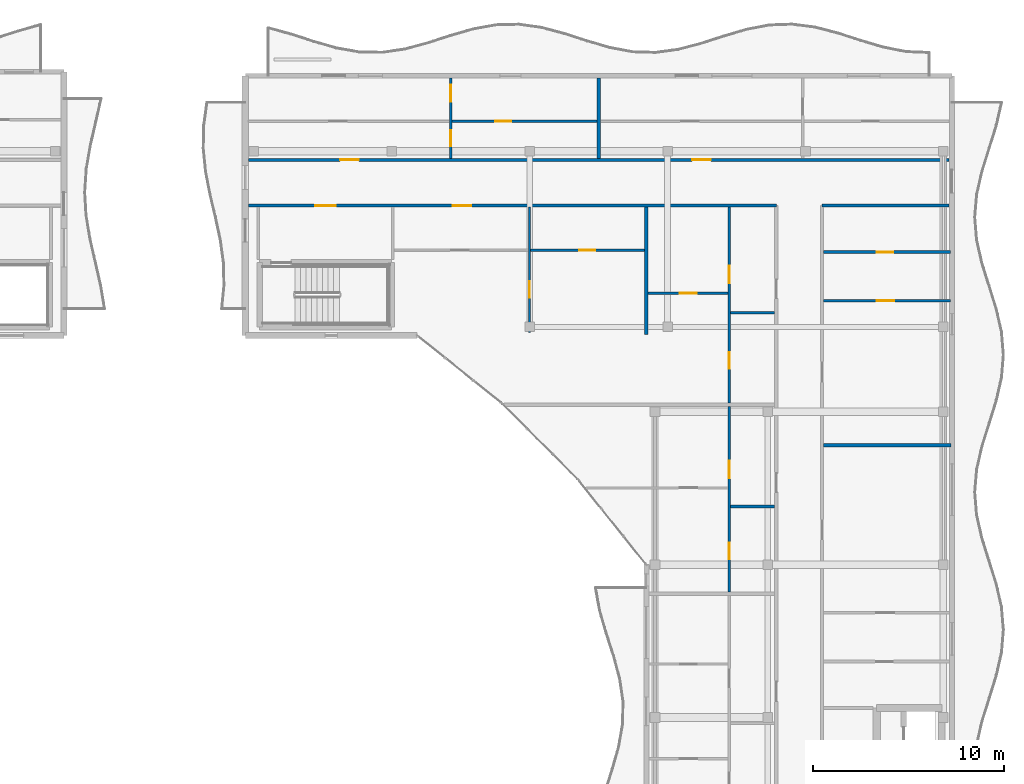
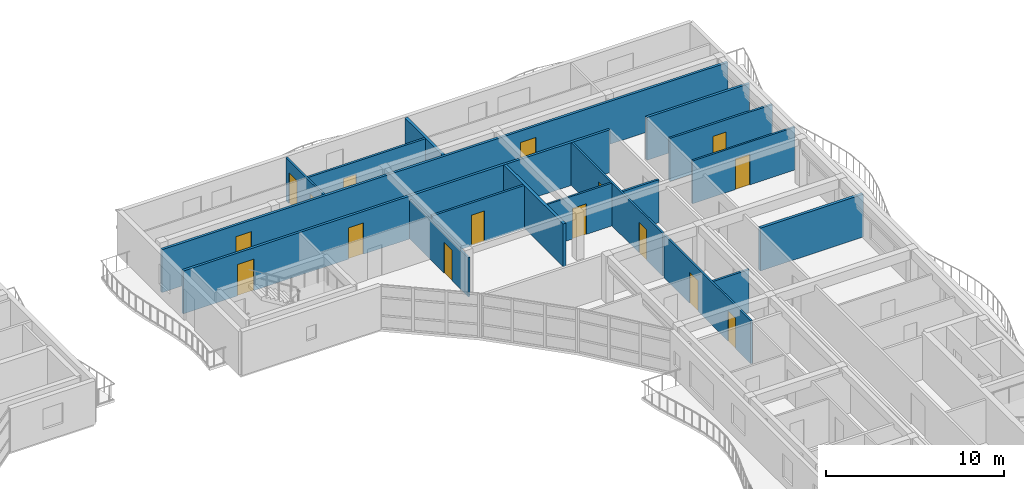
# One storey, part 21 of 30: 17 walls, 16 doors, 16 openings.
"""IFC4 building model written with IfcOpenShell, lengths in metres."""

from ifc_helpers import new_model, si_unit, direction, frame, frame_2d, origin, place, context, subcontext, project, spatial, rectangle, extrude, material, layer, layer_set, type_object, element, fill, save


model = new_model("IFC4")

# Units and contexts
model_context = context("Model", 3, precision=1e-05, world=origin(), true_north=direction((0.0, 1.0)))
body_context = subcontext(model_context, "Body", "Model", "MODEL_VIEW")
ifc_project = project(units=[si_unit("LENGTHUNIT", "METRE"), si_unit("AREAUNIT", "SQUARE_METRE"), si_unit("VOLUMEUNIT", "CUBIC_METRE"), si_unit("PLANEANGLEUNIT", "RADIAN"), si_unit("MASSUNIT", "GRAM", prefix="KILO")], contexts=[model_context])

# Site, building, storey
site_placement = place(None, origin())
site = spatial("IfcSite", under=ifc_project, at=site_placement, CompositionType="ELEMENT")
building_placement = place(site_placement, origin())
building = spatial("IfcBuilding", under=site, at=building_placement, Name="Keldmere Railside Commons", CompositionType="ELEMENT")
storey_placement = place(building_placement, frame((0.0, 0.0, 36.159912109375)))
storey = spatial("IfcBuildingStorey", under=building, at=storey_placement, Name="L11", CompositionType="ELEMENT", Elevation=36.159912109375)

# Walls
ifc_material_1 = material(Name="Acoustic Gypsum Board Partition", Category="gypsum")
ifc_layer_1 = layer(ifc_material_1, 0.179931640625, Name="Acoustic Demising Partition 180")
ifc_layer_set_1 = layer_set([ifc_layer_1], Name="Acoustic Gypsum Board Partition")
wall_type_1 = type_object("IfcWallType", Name="Acoustic Demising Partition 180", PredefinedType="PARTITIONING", material=ifc_layer_set_1)
wall_1_placement = place(storey_placement, frame((168.0, 100.050048828125, 0.0), z_axis=(0.0, 0.0, 1.0), x_axis=(0.0, 1.0, 0.0)))
element("IfcWall", 1, at=wall_1_placement, inside=storey, type_object=wall_type_1, Name="IW-1 IW-L11-1858", PredefinedType="PARTITIONING", context=body_context, shape_type="SweptSolid", body=[
    extrude(rectangle(XDim=6.669921875, YDim=0.179931640625, at=frame_2d((3.3349609375, 0.0))), origin(), (0.0, 0.0, 1.0), 2.93505859375),
])
wall_2_placement = place(storey_placement, frame((165.5, 109.280029296875, 0.0), z_axis=(0.0, 0.0, 1.0), x_axis=(0.0, 1.0, 0.0)))
element("IfcWall", 2, at=wall_2_placement, inside=storey, type_object=wall_type_1, Name="IW-1 IW-L11-1877", PredefinedType="PARTITIONING", context=body_context, shape_type="SweptSolid", body=[
    extrude(rectangle(XDim=4.18994140625, YDim=0.179931640625, at=frame_2d((2.094970703125, 0.0))), origin(), (0.0, 0.0, 1.0), 2.93505859375),
])
wall_3_placement = place(storey_placement, frame((177.280029296875, 94.25, 0.0), z_axis=(0.0, 0.0, 1.0), x_axis=(1.0, 0.0, 0.0)))
element("IfcWall", 3, at=wall_3_placement, inside=storey, type_object=wall_type_1, Name="IW-1 IW-L11-1887", PredefinedType="PARTITIONING", context=body_context, shape_type="SweptSolid", body=[
    extrude(rectangle(XDim=6.679931640625, YDim=0.179931640625, at=frame_2d((3.33984375, 0.0))), origin(), (0.0, 0.0, 1.0), 2.93505859375),
])

# Wall, openings, doors
ifc_layer_2 = layer(ifc_material_1, 0.1201171875, Name="Apartment Interior Partition 120")
ifc_layer_set_2 = layer_set([ifc_layer_2], Name="Acoustic Gypsum Board Partition")
wall_type_2 = type_object("IfcWallType", Name="Apartment Interior Partition 120", PredefinedType="PARTITIONING", material=ifc_layer_set_2)
wall_4_placement = place(storey_placement, frame((172.340087890625, 86.580078125, 0.0), z_axis=(0.0, 0.0, 1.0), x_axis=(0.0, 1.0, 0.0)))
wall_4 = element("IfcWall", 4, at=wall_4_placement, inside=storey, type_object=wall_type_2, Name="IW-4 IW-L11-1871", PredefinedType="PARTITIONING", context=body_context, shape_type="SweptSolid", body=[
    extrude(rectangle(XDim=9.7099609375, YDim=0.1201171875, at=frame_2d((4.85498046875, 0.0))), origin(), (0.0, 0.0, 1.0), 2.93505859375),
])
opening_1_placement = place(wall_4_placement, frame((1.698486328125, 0.0, 0.0)))
opening_1 = element("IfcOpeningElement", 5, at=opening_1_placement, cuts=wall_4, Name="Opening ID-04", PredefinedType="OPENING", context=body_context, shape_type="SweptSolid", body=[
    extrude(rectangle(XDim=0.860107421875, YDim=2.10009765625, at=frame_2d((0.43017578125, 1.050048828125))), frame((0.0, 0.070068359375, 0.0), z_axis=(0.0, -1.0, 0.0), x_axis=(1.0, 0.0, 0.0)), (0.0, 0.0, 1.0), 0.14013671875),
])
opening_2_placement = place(wall_4_placement, frame((5.937255859375, 0.0, 0.0)))
opening_2 = element("IfcOpeningElement", 6, at=opening_2_placement, cuts=wall_4, Name="Opening ID-03", PredefinedType="OPENING", context=body_context, shape_type="SweptSolid", body=[
    extrude(rectangle(XDim=0.919921875, YDim=2.10009765625, at=frame_2d((0.4599609375, 1.050048828125))), frame((0.0, 0.070068359375, 0.0), z_axis=(0.0, -1.0, 0.0), x_axis=(1.0, 0.0, 0.0)), (0.0, 0.0, 1.0), 0.14013671875),
])
ifc_material_2 = material(Name="Engineered Oak Timber", Category="wood")
door_type_1 = type_object("IfcDoorType", Name="Apartment Bathroom Door 860x2100", OperationType="NOTDEFINED", PredefinedType="DOOR", material=ifc_material_2)
door_1_placement = place(opening_1_placement, origin())
door_1 = element("IfcDoor", 7, at=door_1_placement, inside=storey, type_object=door_type_1, Name="ID-04 IDR-L11-1710", OperationType="SINGLE_SWING_RIGHT", OverallHeight=2.10009765625, OverallWidth=0.860107421875, PredefinedType="DOOR", context=body_context, shape_type="SweptSolid", body=[
    extrude(rectangle(XDim=0.860107421875, YDim=2.10009765625, at=frame_2d((0.43017578125, 1.050048828125))), frame((0.0, 0.02490234375, 0.0), z_axis=(0.0, -1.0, 0.0), x_axis=(1.0, 0.0, 0.0)), (0.0, 0.0, 1.0), 0.050048828125),
])
fill(opening_1, door_1)
door_type_2 = type_object("IfcDoorType", Name="Kitchen Pocket-Frame Swing Door 920x2100", OperationType="NOTDEFINED", PredefinedType="DOOR", material=ifc_material_2)
door_2_placement = place(opening_2_placement, origin())
door_2 = element("IfcDoor", 8, at=door_2_placement, inside=storey, type_object=door_type_2, Name="ID-03 IDR-L11-1711", OperationType="SINGLE_SWING_LEFT", OverallHeight=2.10009765625, OverallWidth=0.919921875, PredefinedType="DOOR", context=body_context, shape_type="SweptSolid", body=[
    extrude(rectangle(XDim=0.919921875, YDim=2.10009765625, at=frame_2d((0.4599609375, 1.050048828125))), frame((0.0, 0.02490234375, 0.0), z_axis=(0.0, -1.0, 0.0), x_axis=(1.0, 0.0, 0.0)), (0.0, 0.0, 1.0), 0.050048828125),
])
fill(opening_2, door_2)

wall_5_placement = place(storey_placement, frame((172.340087890625, 96.469970703125, 0.0), z_axis=(0.0, 0.0, 1.0), x_axis=(0.0, 1.0, 0.0)))
wall_5 = element("IfcWall", 9, at=wall_5_placement, inside=storey, type_object=wall_type_2, Name="IW-4 IW-L11-1874", PredefinedType="PARTITIONING", context=body_context, shape_type="SweptSolid", body=[
    extrude(rectangle(XDim=10.25, YDim=0.1201171875, at=frame_2d((5.125, 0.0))), origin(), (0.0, 0.0, 1.0), 2.93505859375),
])
opening_3_placement = place(wall_5_placement, frame((1.793701171875, 0.0, 0.0)))
opening_3 = element("IfcOpeningElement", 10, at=opening_3_placement, cuts=wall_5, Name="Opening ID-04", PredefinedType="OPENING", context=body_context, shape_type="SweptSolid", body=[
    extrude(rectangle(XDim=0.860107421875, YDim=2.10009765625, at=frame_2d((0.43017578125, 1.050048828125))), frame((0.0, 0.070068359375, 0.0), z_axis=(0.0, -1.0, 0.0), x_axis=(1.0, 0.0, 0.0)), (0.0, 0.0, 1.0), 0.14013671875),
])
opening_4_placement = place(wall_5_placement, frame((6.268310546875, 0.0, 0.0)))
opening_4 = element("IfcOpeningElement", 11, at=opening_4_placement, cuts=wall_5, Name="Opening ID-03", PredefinedType="OPENING", context=body_context, shape_type="SweptSolid", body=[
    extrude(rectangle(XDim=0.919921875, YDim=2.10009765625, at=frame_2d((0.4599609375, 1.050048828125))), frame((0.0, 0.070068359375, 0.0), z_axis=(0.0, -1.0, 0.0), x_axis=(1.0, 0.0, 0.0)), (0.0, 0.0, 1.0), 0.14013671875),
])
door_3_placement = place(opening_3_placement, origin())
door_3 = element("IfcDoor", 12, at=door_3_placement, inside=storey, type_object=door_type_1, Name="ID-04 IDR-L11-1714", OperationType="SINGLE_SWING_RIGHT", OverallHeight=2.10009765625, OverallWidth=0.860107421875, PredefinedType="DOOR", context=body_context, shape_type="SweptSolid", body=[
    extrude(rectangle(XDim=0.860107421875, YDim=2.10009765625, at=frame_2d((0.43017578125, 1.050048828125))), frame((0.0, 0.02490234375, 0.0), z_axis=(0.0, -1.0, 0.0), x_axis=(1.0, 0.0, 0.0)), (0.0, 0.0, 1.0), 0.050048828125),
])
fill(opening_3, door_3)
door_4_placement = place(opening_4_placement, origin())
door_4 = element("IfcDoor", 13, at=door_4_placement, inside=storey, type_object=door_type_2, Name="ID-03 IDR-L11-1715", OperationType="SINGLE_SWING_LEFT", OverallHeight=2.10009765625, OverallWidth=0.919921875, PredefinedType="DOOR", context=body_context, shape_type="SweptSolid", body=[
    extrude(rectangle(XDim=0.919921875, YDim=2.10009765625, at=frame_2d((0.4599609375, 1.050048828125))), frame((0.0, 0.02490234375, 0.0), z_axis=(0.0, -1.0, 0.0), x_axis=(1.0, 0.0, 0.0)), (0.0, 0.0, 1.0), 0.050048828125),
])
fill(opening_4, door_4)

# Wall, opening, door
wall_6_placement = place(storey_placement, frame((168.090087890625, 102.2099609375, 0.0), z_axis=(0.0, 0.0, 1.0), x_axis=(1.0, 0.0, 0.0)))
wall_6 = element("IfcWall", 14, at=wall_6_placement, inside=storey, type_object=wall_type_2, Name="IW-4 IW-L11-1876", PredefinedType="PARTITIONING", context=body_context, shape_type="SweptSolid", body=[
    extrude(rectangle(XDim=4.18994140625, YDim=0.1201171875, at=frame_2d((2.094970703125, 0.0))), origin(), (0.0, 0.0, 1.0), 2.93505859375),
])
opening_5_placement = place(wall_6_placement, frame((1.64501953125, 0.0, 0.0)))
opening_5 = element("IfcOpeningElement", 15, at=opening_5_placement, cuts=wall_6, Name="Opening ID-01", PredefinedType="OPENING", context=body_context, shape_type="SweptSolid", body=[
    extrude(rectangle(XDim=0.89990234375, YDim=2.10009765625, at=frame_2d((0.449951171875, 1.050048828125))), frame((0.0, 0.070068359375, 0.0), z_axis=(0.0, -1.0, 0.0), x_axis=(1.0, 0.0, 0.0)), (0.0, 0.0, 1.0), 0.14013671875),
])
door_type_3 = type_object("IfcDoorType", Name="Primary Bedroom Door 900x2100", OperationType="NOTDEFINED", PredefinedType="DOOR", material=ifc_material_2)
door_5_placement = place(opening_5_placement, origin())
door_5 = element("IfcDoor", 16, at=door_5_placement, inside=storey, type_object=door_type_3, Name="ID-01 IDR-L11-1717", OperationType="SINGLE_SWING_LEFT", OverallHeight=2.10009765625, OverallWidth=0.89990234375, PredefinedType="DOOR", context=body_context, shape_type="SweptSolid", body=[
    extrude(rectangle(XDim=0.89990234375, YDim=2.10009765625, at=frame_2d((0.449951171875, 1.050048828125))), frame((0.0, 0.02490234375, 0.0), z_axis=(0.0, -1.0, 0.0), x_axis=(1.0, 0.0, 0.0)), (0.0, 0.0, 1.0), 0.050048828125),
])
fill(opening_5, door_5)

# Wall, openings, doors
wall_7_placement = place(storey_placement, frame((157.75, 109.280029296875, 0.0), z_axis=(0.0, 0.0, 1.0), x_axis=(0.0, 1.0, 0.0)))
wall_7 = element("IfcWall", 17, at=wall_7_placement, inside=storey, type_object=wall_type_2, Name="IW-4 IW-L11-1878", PredefinedType="PARTITIONING", context=body_context, shape_type="SweptSolid", body=[
    extrude(rectangle(XDim=4.18994140625, YDim=0.1201171875, at=frame_2d((2.094970703125, 0.0))), origin(), (0.0, 0.0, 1.0), 2.93505859375),
])
opening_6_placement = place(wall_7_placement, frame((0.61767578125, 0.0, 0.0)))
opening_6 = element("IfcOpeningElement", 18, at=opening_6_placement, cuts=wall_7, Name="Opening ID-04", PredefinedType="OPENING", context=body_context, shape_type="SweptSolid", body=[
    extrude(rectangle(XDim=0.860107421875, YDim=2.10009765625, at=frame_2d((0.43017578125, 1.050048828125))), frame((0.0, 0.070068359375, 0.0), z_axis=(0.0, -1.0, 0.0), x_axis=(1.0, 0.0, 0.0)), (0.0, 0.0, 1.0), 0.14013671875),
])
opening_7_placement = place(wall_7_placement, frame((2.947021484375, 0.0, 0.0)))
opening_7 = element("IfcOpeningElement", 19, at=opening_7_placement, cuts=wall_7, Name="Opening ID-01", PredefinedType="OPENING", context=body_context, shape_type="SweptSolid", body=[
    extrude(rectangle(XDim=0.89990234375, YDim=2.10009765625, at=frame_2d((0.449951171875, 1.050048828125))), frame((0.0, 0.070068359375, 0.0), z_axis=(0.0, -1.0, 0.0), x_axis=(1.0, 0.0, 0.0)), (0.0, 0.0, 1.0), 0.14013671875),
])
door_6_placement = place(opening_6_placement, origin())
door_6 = element("IfcDoor", 20, at=door_6_placement, inside=storey, type_object=door_type_1, Name="ID-04 IDR-L11-1720", OperationType="SINGLE_SWING_RIGHT", OverallHeight=2.10009765625, OverallWidth=0.860107421875, PredefinedType="DOOR", context=body_context, shape_type="SweptSolid", body=[
    extrude(rectangle(XDim=0.860107421875, YDim=2.10009765625, at=frame_2d((0.43017578125, 1.050048828125))), frame((0.0, 0.02490234375, 0.0), z_axis=(0.0, -1.0, 0.0), x_axis=(1.0, 0.0, 0.0)), (0.0, 0.0, 1.0), 0.050048828125),
])
fill(opening_6, door_6)
door_7_placement = place(opening_7_placement, origin())
door_7 = element("IfcDoor", 21, at=door_7_placement, inside=storey, type_object=door_type_3, Name="ID-01 IDR-L11-1721", OperationType="SINGLE_SWING_LEFT", OverallHeight=2.10009765625, OverallWidth=0.89990234375, PredefinedType="DOOR", context=body_context, shape_type="SweptSolid", body=[
    extrude(rectangle(XDim=0.89990234375, YDim=2.10009765625, at=frame_2d((0.449951171875, 1.050048828125))), frame((0.0, 0.02490234375, 0.0), z_axis=(0.0, -1.0, 0.0), x_axis=(1.0, 0.0, 0.0)), (0.0, 0.0, 1.0), 0.050048828125),
])
fill(opening_7, door_7)

# Wall, opening, door
wall_8_placement = place(storey_placement, frame((161.8798828125, 100.159912109375, 0.0), z_axis=(0.0, 0.0, 1.0), x_axis=(0.0, 1.0, 0.0)))
wall_8 = element("IfcWall", 22, at=wall_8_placement, inside=storey, type_object=wall_type_2, Name="IW-4 IW-L11-1884", PredefinedType="PARTITIONING", context=body_context, shape_type="SweptSolid", body=[
    extrude(rectangle(XDim=6.56005859375, YDim=0.1201171875, at=frame_2d((3.280029296875, 0.0))), origin(), (0.0, 0.0, 1.0), 2.68017578125),
])
opening_8_placement = place(wall_8_placement, frame((1.810302734375, 0.0, 0.0)))
opening_8 = element("IfcOpeningElement", 23, at=opening_8_placement, cuts=wall_8, Name="Opening ID-02", PredefinedType="OPENING", context=body_context, shape_type="SweptSolid", body=[
    extrude(rectangle(XDim=0.8798828125, YDim=2.10009765625, at=frame_2d((0.43994140625, 1.050048828125))), frame((0.0, 0.070068359375, 0.0), z_axis=(0.0, -1.0, 0.0), x_axis=(1.0, 0.0, 0.0)), (0.0, 0.0, 1.0), 0.14013671875),
])
door_type_4 = type_object("IfcDoorType", Name="Secondary Bedroom Door 880x2100", OperationType="NOTDEFINED", PredefinedType="DOOR", material=ifc_material_2)
door_8_placement = place(opening_8_placement, origin())
door_8 = element("IfcDoor", 24, at=door_8_placement, inside=storey, type_object=door_type_4, Name="ID-02 IDR-L11-1729", OperationType="SINGLE_SWING_LEFT", OverallHeight=2.10009765625, OverallWidth=0.8798828125, PredefinedType="DOOR", context=body_context, shape_type="SweptSolid", body=[
    extrude(rectangle(XDim=0.8798828125, YDim=2.10009765625, at=frame_2d((0.43994140625, 1.050048828125))), frame((0.0, 0.02490234375, 0.0), z_axis=(0.0, -1.0, 0.0), x_axis=(1.0, 0.0, 0.0)), (0.0, 0.0, 1.0), 0.050048828125),
])
fill(opening_8, door_8)

wall_9_placement = place(storey_placement, frame((177.280029296875, 101.820068359375, 0.0), z_axis=(0.0, 0.0, 1.0), x_axis=(1.0, 0.0, 0.0)))
wall_9 = element("IfcWall", 25, at=wall_9_placement, inside=storey, type_object=wall_type_2, Name="IW-4 IW-L11-1890", PredefinedType="PARTITIONING", context=body_context, shape_type="SweptSolid", body=[
    extrude(rectangle(XDim=6.6298828125, YDim=0.1201171875, at=frame_2d((3.31494140625, 0.0))), origin(), (0.0, 0.0, 1.0), 2.93505859375),
])
opening_9_placement = place(wall_9_placement, frame((2.78466796875, 0.0, 0.0)))
opening_9 = element("IfcOpeningElement", 26, at=opening_9_placement, cuts=wall_9, Name="Opening ID-03", PredefinedType="OPENING", context=body_context, shape_type="SweptSolid", body=[
    extrude(rectangle(XDim=0.919921875, YDim=2.10009765625, at=frame_2d((0.4599609375, 1.050048828125))), frame((0.0, 0.070068359375, 0.0), z_axis=(0.0, -1.0, 0.0), x_axis=(1.0, 0.0, 0.0)), (0.0, 0.0, 1.0), 0.14013671875),
])
door_9_placement = place(opening_9_placement, origin())
door_9 = element("IfcDoor", 27, at=door_9_placement, inside=storey, type_object=door_type_2, Name="ID-03 IDR-L11-1736", OperationType="SINGLE_SWING_RIGHT", OverallHeight=2.10009765625, OverallWidth=0.919921875, PredefinedType="DOOR", context=body_context, shape_type="SweptSolid", body=[
    extrude(rectangle(XDim=0.919921875, YDim=2.10009765625, at=frame_2d((0.4599609375, 1.050048828125))), frame((0.0, 0.02490234375, 0.0), z_axis=(0.0, -1.0, 0.0), x_axis=(1.0, 0.0, 0.0)), (0.0, 0.0, 1.0), 0.050048828125),
])
fill(opening_9, door_9)

# Wall, openings, doors
ifc_layer_3 = layer(ifc_material_1, 0.159912109375, Name="Corridor Fire Partition 160")
ifc_layer_set_3 = layer_set([ifc_layer_3], Name="Acoustic Gypsum Board Partition")
wall_type_3 = type_object("IfcWallType", Name="Corridor Fire Partition 160", PredefinedType="PARTITIONING", material=ifc_layer_set_3)
wall_10_placement = place(storey_placement, frame((147.159912109375, 106.800048828125, 0.0), z_axis=(0.0, 0.0, 1.0), x_axis=(1.0, 0.0, 0.0)))
wall_10 = element("IfcWall", 28, at=wall_10_placement, inside=storey, type_object=wall_type_3, Name="IW-2 IW-L11-1855", PredefinedType="PARTITIONING", context=body_context, shape_type="SweptSolid", body=[
    extrude(rectangle(XDim=27.64013671875, YDim=0.159912109375, at=frame_2d((13.820068359375, 0.0))), origin(), (0.0, 0.0, 1.0), 2.93505859375),
])
opening_10_placement = place(wall_10_placement, frame((3.514892578125, 0.0, 0.0)))
opening_10 = element("IfcOpeningElement", 29, at=opening_10_placement, cuts=wall_10, Name="Opening FD-1", PredefinedType="OPENING", context=body_context, shape_type="SweptSolid", body=[
    extrude(rectangle(XDim=1.050048828125, YDim=2.14990234375, at=frame_2d((0.52490234375, 1.074951171875))), frame((0.0, 0.08984375, 0.0), z_axis=(0.0, -1.0, 0.0), x_axis=(1.0, 0.0, 0.0)), (0.0, 0.0, 1.0), 0.179931640625),
])
opening_11_placement = place(wall_10_placement, frame((10.68994140625, 0.0, 0.0)))
opening_11 = element("IfcOpeningElement", 30, at=opening_11_placement, cuts=wall_10, Name="Opening FD-7", PredefinedType="OPENING", context=body_context, shape_type="SweptSolid", body=[
    extrude(rectangle(XDim=0.97998046875, YDim=2.14990234375, at=frame_2d((0.489990234375, 1.074951171875))), frame((0.0, 0.08984375, 0.0), z_axis=(0.0, -1.0, 0.0), x_axis=(1.0, 0.0, 0.0)), (0.0, 0.0, 1.0), 0.179931640625),
])
door_type_5 = type_object("IfcDoorType", Name="Apartment Entrance Acoustic Fire Door 980x2150", OperationType="NOTDEFINED", PredefinedType="DOOR", material=ifc_material_2)
door_10_placement = place(opening_11_placement, origin())
door_10 = element("IfcDoor", 31, at=door_10_placement, inside=storey, type_object=door_type_5, Name="FD-7 IDR-L11-1727", OperationType="SINGLE_SWING_LEFT", OverallHeight=2.14990234375, OverallWidth=0.97998046875, PredefinedType="DOOR", context=body_context, shape_type="SweptSolid", body=[
    extrude(rectangle(XDim=0.97998046875, YDim=2.14990234375, at=frame_2d((0.489990234375, 1.074951171875))), frame((0.0, 0.02490234375, 0.0), z_axis=(0.0, -1.0, 0.0), x_axis=(1.0, 0.0, 0.0)), (0.0, 0.0, 1.0), 0.050048828125),
])
fill(opening_11, door_10)
ifc_material_3 = material(Name="Steel F-24 (S235)", Category="steel")
door_type_6 = type_object("IfcDoorType", Name="Stair Core Fire Door 1050x2150", OperationType="NOTDEFINED", PredefinedType="DOOR", material=ifc_material_3)
door_11_placement = place(opening_10_placement, origin())
door_11 = element("IfcDoor", 32, at=door_11_placement, inside=storey, type_object=door_type_6, Name="FD-1 IDR-L11-1698", OperationType="SINGLE_SWING_RIGHT", OverallHeight=2.14990234375, OverallWidth=1.050048828125, PredefinedType="DOOR", context=body_context, shape_type="SweptSolid", body=[
    extrude(rectangle(XDim=1.050048828125, YDim=2.14990234375, at=frame_2d((0.52490234375, 1.074951171875))), frame((0.0, 0.02490234375, 0.0), z_axis=(0.0, -1.0, 0.0), x_axis=(1.0, 0.0, 0.0)), (0.0, 0.0, 1.0), 0.050048828125),
])
fill(opening_10, door_11)

# Wall
wall_11_placement = place(storey_placement, frame((177.199951171875, 106.800048828125, 0.0), z_axis=(0.0, 0.0, 1.0), x_axis=(1.0, 0.0, 0.0)))
element("IfcWall", 33, at=wall_11_placement, inside=storey, type_object=wall_type_3, Name="IW-2 IW-L11-1856", PredefinedType="PARTITIONING", context=body_context, shape_type="SweptSolid", body=[
    extrude(rectangle(XDim=6.64013671875, YDim=0.159912109375, at=frame_2d((3.320068359375, 0.0))), origin(), (0.0, 0.0, 1.0), 2.93505859375),
])

# Wall, openings, doors
wall_12_placement = place(storey_placement, frame((147.159912109375, 109.199951171875, 0.0), z_axis=(0.0, 0.0, 1.0), x_axis=(1.0, 0.0, 0.0)))
wall_12 = element("IfcWall", 34, at=wall_12_placement, inside=storey, type_object=wall_type_3, Name="IW-2 IW-L11-1857", PredefinedType="PARTITIONING", context=body_context, shape_type="SweptSolid", body=[
    extrude(rectangle(XDim=36.68017578125, YDim=0.159912109375, at=frame_2d((18.340087890625, 0.0))), origin(), (0.0, 0.0, 1.0), 2.93505859375),
])
opening_12_placement = place(wall_12_placement, frame((4.804931640625, 0.0, 0.0)))
opening_12 = element("IfcOpeningElement", 35, at=opening_12_placement, cuts=wall_12, Name="Opening FD-7", PredefinedType="OPENING", context=body_context, shape_type="SweptSolid", body=[
    extrude(rectangle(XDim=0.97998046875, YDim=2.14990234375, at=frame_2d((0.489990234375, 1.074951171875))), frame((0.0, 0.08984375, 0.0), z_axis=(0.0, -1.0, 0.0), x_axis=(1.0, 0.0, 0.0)), (0.0, 0.0, 1.0), 0.179931640625),
])
opening_13_placement = place(wall_12_placement, frame((23.235107421875, 0.0, 0.0)))
opening_13 = element("IfcOpeningElement", 36, at=opening_13_placement, cuts=wall_12, Name="Opening FD-7", PredefinedType="OPENING", context=body_context, shape_type="SweptSolid", body=[
    extrude(rectangle(XDim=0.97998046875, YDim=2.14990234375, at=frame_2d((0.489990234375, 1.074951171875))), frame((0.0, 0.08984375, 0.0), z_axis=(0.0, -1.0, 0.0), x_axis=(1.0, 0.0, 0.0)), (0.0, 0.0, 1.0), 0.179931640625),
])
door_12_placement = place(opening_12_placement, origin())
door_12 = element("IfcDoor", 37, at=door_12_placement, inside=storey, type_object=door_type_5, Name="FD-7 IDR-L11-1718", OperationType="SINGLE_SWING_RIGHT", OverallHeight=2.14990234375, OverallWidth=0.97998046875, PredefinedType="DOOR", context=body_context, shape_type="SweptSolid", body=[
    extrude(rectangle(XDim=0.97998046875, YDim=2.14990234375, at=frame_2d((0.489990234375, 1.074951171875))), frame((0.0, 0.02490234375, 0.0), z_axis=(0.0, -1.0, 0.0), x_axis=(1.0, 0.0, 0.0)), (0.0, 0.0, 1.0), 0.050048828125),
])
fill(opening_12, door_12)
door_13_placement = place(opening_13_placement, origin())
door_13 = element("IfcDoor", 38, at=door_13_placement, inside=storey, type_object=door_type_5, Name="FD-7 IDR-L11-1723", OperationType="SINGLE_SWING_LEFT", OverallHeight=2.14990234375, OverallWidth=0.97998046875, PredefinedType="DOOR", context=body_context, shape_type="SweptSolid", body=[
    extrude(rectangle(XDim=0.97998046875, YDim=2.14990234375, at=frame_2d((0.489990234375, 1.074951171875))), frame((0.0, 0.02490234375, 0.0), z_axis=(0.0, -1.0, 0.0), x_axis=(1.0, 0.0, 0.0)), (0.0, 0.0, 1.0), 0.050048828125),
])
fill(opening_13, door_13)

# Walls
ifc_layer_4 = layer(ifc_material_1, 0.139892578125, Name="Wet-Room Sanitary Partition 140")
ifc_layer_set_4 = layer_set([ifc_layer_4], Name="Acoustic Gypsum Board Partition")
wall_type_4 = type_object("IfcWallType", Name="Wet-Room Sanitary Partition 140", PredefinedType="PARTITIONING", material=ifc_layer_set_4)
for number, where, z_axis, x_axis, name in (
    (39, (172.39990234375, 91.050048828125, 0.0), (0.0, 0.0, 1.0), (1.0, 0.0, 0.0), "IW-5 IW-L11-1872"),
    (40, (172.39990234375, 101.18994140625, 0.0), (0.0, 0.0, 1.0), (1.0, 0.0, 0.0), "IW-5 IW-L11-1875"),
):
    element("IfcWall", number, at=place(storey_placement, frame(where, z_axis=z_axis, x_axis=x_axis)), inside=storey, type_object=wall_type_4, Name=name, PredefinedType="PARTITIONING", context=body_context, shape_type="SweptSolid", body=[
        extrude(rectangle(XDim=2.320068359375, YDim=0.139892578125, at=frame_2d((1.16015625, 0.0))), origin(), (0.0, 0.0, 1.0), 2.93505859375),
    ])

# Wall, opening, door
wall_13_placement = place(storey_placement, frame((157.81005859375, 111.2099609375, 0.0), z_axis=(0.0, 0.0, 1.0), x_axis=(1.0, 0.0, 0.0)))
wall_13 = element("IfcWall", 41, at=wall_13_placement, inside=storey, type_object=wall_type_4, Name="IW-5 IW-L11-1879", PredefinedType="PARTITIONING", context=body_context, shape_type="SweptSolid", body=[
    extrude(rectangle(XDim=7.599853515625, YDim=0.139892578125, at=frame_2d((3.7998046875, 0.0))), origin(), (0.0, 0.0, 1.0), 2.93505859375),
])
opening_14_placement = place(wall_13_placement, frame((2.263916015625, 0.0, 0.0)))
opening_14 = element("IfcOpeningElement", 42, at=opening_14_placement, cuts=wall_13, Name="Opening ID-06", PredefinedType="OPENING", context=body_context, shape_type="SweptSolid", body=[
    extrude(rectangle(XDim=0.85009765625, YDim=2.050048828125, at=frame_2d((0.425048828125, 1.02490234375))), frame((0.0, 0.079833984375, 0.0), z_axis=(0.0, -1.0, 0.0), x_axis=(1.0, 0.0, 0.0)), (0.0, 0.0, 1.0), 0.159912109375),
])
door_type_7 = type_object("IfcDoorType", Name="Storage Closet Door 850x2050", OperationType="NOTDEFINED", PredefinedType="DOOR", material=ifc_material_2)
door_14_placement = place(opening_14_placement, origin())
door_14 = element("IfcDoor", 43, at=door_14_placement, inside=storey, type_object=door_type_7, Name="ID-06 IDR-L11-1722", OperationType="SINGLE_SWING_RIGHT", OverallHeight=2.050048828125, OverallWidth=0.85009765625, PredefinedType="DOOR", context=body_context, shape_type="SweptSolid", body=[
    extrude(rectangle(XDim=0.85009765625, YDim=2.050048828125, at=frame_2d((0.425048828125, 1.02490234375))), frame((0.0, 0.02490234375, 0.0), z_axis=(0.0, -1.0, 0.0), x_axis=(1.0, 0.0, 0.0)), (0.0, 0.0, 1.0), 0.050048828125),
])
fill(opening_14, door_14)

wall_14_placement = place(storey_placement, frame((161.93994140625, 104.469970703125, 0.0), z_axis=(0.0, 0.0, 1.0), x_axis=(1.0, 0.0, 0.0)))
wall_14 = element("IfcWall", 44, at=wall_14_placement, inside=storey, type_object=wall_type_4, Name="IW-5 IW-L11-1885", PredefinedType="PARTITIONING", context=body_context, shape_type="SweptSolid", body=[
    extrude(rectangle(XDim=5.969970703125, YDim=0.139892578125, at=frame_2d((2.98486328125, 0.0))), origin(), (0.0, 0.0, 1.0), 2.93505859375),
])
opening_15_placement = place(wall_14_placement, frame((2.53271484375, 0.0, 0.0)))
opening_15 = element("IfcOpeningElement", 45, at=opening_15_placement, cuts=wall_14, Name="Opening ID-04", PredefinedType="OPENING", context=body_context, shape_type="SweptSolid", body=[
    extrude(rectangle(XDim=0.860107421875, YDim=2.10009765625, at=frame_2d((0.43017578125, 1.050048828125))), frame((0.0, 0.079833984375, 0.0), z_axis=(0.0, -1.0, 0.0), x_axis=(1.0, 0.0, 0.0)), (0.0, 0.0, 1.0), 0.159912109375),
])
door_15_placement = place(opening_15_placement, origin())
door_15 = element("IfcDoor", 46, at=door_15_placement, inside=storey, type_object=door_type_1, Name="ID-04 IDR-L11-1730", OperationType="SINGLE_SWING_RIGHT", OverallHeight=2.10009765625, OverallWidth=0.860107421875, PredefinedType="DOOR", context=body_context, shape_type="SweptSolid", body=[
    extrude(rectangle(XDim=0.860107421875, YDim=2.10009765625, at=frame_2d((0.43017578125, 1.050048828125))), frame((0.0, 0.02490234375, 0.0), z_axis=(0.0, -1.0, 0.0), x_axis=(1.0, 0.0, 0.0)), (0.0, 0.0, 1.0), 0.050048828125),
])
fill(opening_15, door_15)

wall_15_placement = place(storey_placement, frame((177.280029296875, 104.3701171875, 0.0), z_axis=(0.0, 0.0, 1.0), x_axis=(1.0, 0.0, 0.0)))
wall_15 = element("IfcWall", 47, at=wall_15_placement, inside=storey, type_object=wall_type_4, Name="IW-5 IW-L11-1891", PredefinedType="PARTITIONING", context=body_context, shape_type="SweptSolid", body=[
    extrude(rectangle(XDim=6.6298828125, YDim=0.139892578125, at=frame_2d((3.31494140625, 0.0))), origin(), (0.0, 0.0, 1.0), 2.93505859375),
])
opening_16_placement = place(wall_15_placement, frame((2.78466796875, 0.0, 0.0)))
opening_16 = element("IfcOpeningElement", 48, at=opening_16_placement, cuts=wall_15, Name="Opening ID-04", PredefinedType="OPENING", context=body_context, shape_type="SweptSolid", body=[
    extrude(rectangle(XDim=0.860107421875, YDim=2.10009765625, at=frame_2d((0.43017578125, 1.050048828125))), frame((0.0, 0.079833984375, 0.0), z_axis=(0.0, -1.0, 0.0), x_axis=(1.0, 0.0, 0.0)), (0.0, 0.0, 1.0), 0.159912109375),
])
door_16_placement = place(opening_16_placement, origin())
door_16 = element("IfcDoor", 49, at=door_16_placement, inside=storey, type_object=door_type_1, Name="ID-04 IDR-L11-1735", OperationType="SINGLE_SWING_LEFT", OverallHeight=2.10009765625, OverallWidth=0.860107421875, PredefinedType="DOOR", context=body_context, shape_type="SweptSolid", body=[
    extrude(rectangle(XDim=0.860107421875, YDim=2.10009765625, at=frame_2d((0.43017578125, 1.050048828125))), frame((0.0, 0.02490234375, 0.0), z_axis=(0.0, -1.0, 0.0), x_axis=(1.0, 0.0, 0.0)), (0.0, 0.0, 1.0), 0.050048828125),
])
fill(opening_16, door_16)

save(model, "model.ifc")
